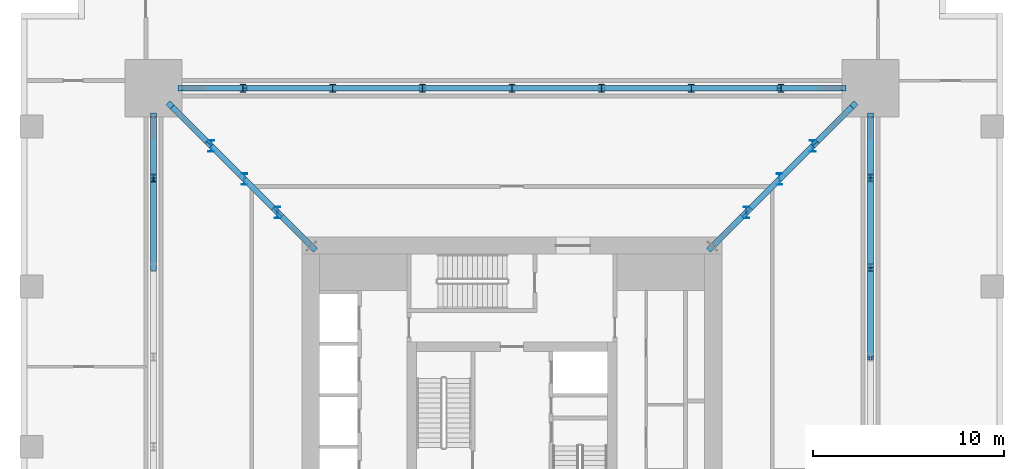
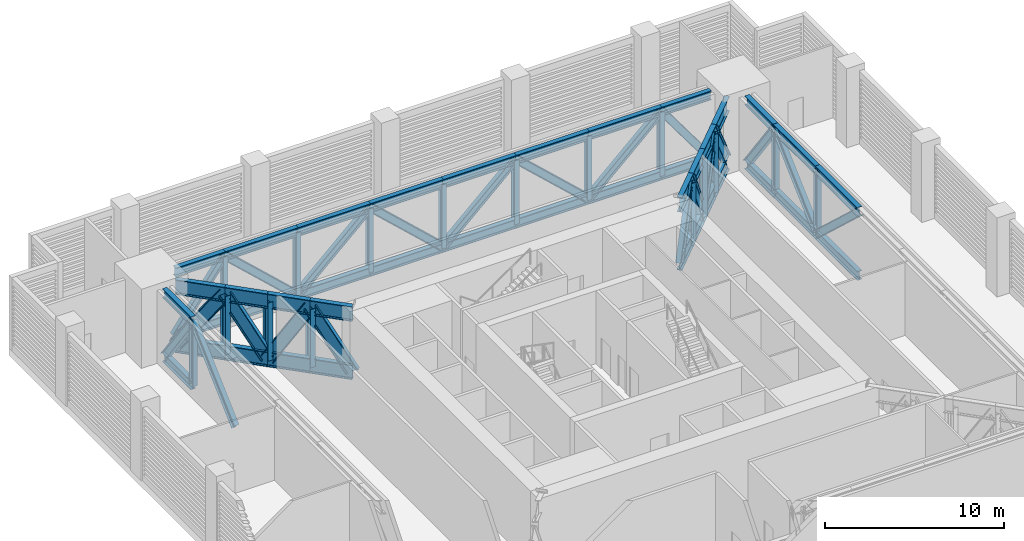
# One storey, part 4 of 17: 77 members.
"""IFC4 building model written with IfcOpenShell, lengths in metres."""

from ifc_helpers import new_model, si_unit, direction, frame, origin, origin_2d, place, context, subcontext, project, spatial, i_section, extrude, material, material_profile, profile_set, type_object, element, save


model = new_model("IFC4")

# Units and contexts
model_context = context("Model", 3, precision=1e-05, world=origin(), true_north=direction((0.0, 1.0)))
body_context = subcontext(model_context, "Body", "Model", "MODEL_VIEW")
ifc_project = project(units=[si_unit("LENGTHUNIT", "METRE"), si_unit("AREAUNIT", "SQUARE_METRE"), si_unit("VOLUMEUNIT", "CUBIC_METRE"), si_unit("PLANEANGLEUNIT", "RADIAN"), si_unit("MASSUNIT", "GRAM", prefix="KILO")], contexts=[model_context])

# Site, building, storey
site_placement = place(None, origin())
site = spatial("IfcSite", under=ifc_project, at=site_placement, CompositionType="ELEMENT")
building_placement = place(site_placement, origin())
building = spatial("IfcBuilding", under=site, at=building_placement, Name="Khepri Terraces", CompositionType="ELEMENT")
storey_placement = place(building_placement, frame((0.0, 0.0, 73.800048828125)))
storey = spatial("IfcBuildingStorey", under=building, at=storey_placement, Name="L17", CompositionType="ELEMENT", Elevation=73.800048828125)

# Members
ifc_material = material(Name="Steel S355", Category="steel")
ifc_material_profile_1 = material_profile(ifc_material, i_section(OverallWidth=0.304931640625, OverallDepth=0.6201171875, WebThickness=0.02099609375, FlangeThickness=0.0400390625, FilletRadius=0.027099609375, at=origin_2d()), Name="Steel S355", Category="steel")
ifc_profile_set_1 = profile_set([ifc_material_profile_1], Name="Steel S355")
member_type_1 = type_object("IfcMemberType", Name="Belt truss chord HEM 600", PredefinedType="CHORD", material=ifc_profile_set_1)
for number, where, z_axis, x_axis, name in (
    (1, (18.800048828125, 4.699951171875, 0.31005859375), (0.0, 1.0, 0.0), (-1.0, 0.0, 0.0), "Belt truss chord BT-17-E bottom 6"),
    (2, (18.800048828125, 4.699951171875, 4.669921875), (0.0, 1.0, 0.0), (-1.0, 0.0, 0.0), "Belt truss chord BT-17-E top 6"),
):
    element("IfcMember", number, at=place(storey_placement, frame(where, z_axis=z_axis, x_axis=x_axis)), inside=storey, type_object=member_type_1, Name=name, PredefinedType="CHORD", context=body_context, shape_type="SweptSolid", body=[
        extrude(i_section(OverallWidth=0.304931640625, OverallDepth=0.6201171875, WebThickness=0.02099609375, FlangeThickness=0.0400390625, FilletRadius=0.027099609375, at=origin_2d()), origin(), (0.0, 0.0, 1.0), 4.699951171875),
    ])
for number, where, z_axis, x_axis, name in (
    (3, (18.800048828125, 9.39990234375, 0.31005859375), (0.0, 1.0, 0.0), (-1.0, 0.0, 0.0), "Belt truss chord BT-17-E bottom 7"),
    (4, (18.800048828125, 9.39990234375, 4.669921875), (0.0, 1.0, 0.0), (-1.0, 0.0, 0.0), "Belt truss chord BT-17-E top 7"),
):
    element("IfcMember", number, at=place(storey_placement, frame(where, z_axis=z_axis, x_axis=x_axis)), inside=storey, type_object=member_type_1, Name=name, PredefinedType="CHORD", context=body_context, shape_type="SweptSolid", body=[
        extrude(i_section(OverallWidth=0.304931640625, OverallDepth=0.6201171875, WebThickness=0.02099609375, FlangeThickness=0.0400390625, FilletRadius=0.027099609375, at=origin_2d()), origin(), (0.0, 0.0, 1.0), 4.7001953125),
    ])
for number, where, z_axis, x_axis, name in (
    (5, (18.800048828125, 14.10009765625, 0.31005859375), (0.0, 1.0, 0.0), (-1.0, 0.0, 0.0), "Belt truss chord BT-17-E bottom 8"),
    (6, (18.800048828125, 14.10009765625, 4.669921875), (0.0, 1.0, 0.0), (-1.0, 0.0, 0.0), "Belt truss chord BT-17-E top 8"),
    (7, (17.300048828125, 18.800048828125, 0.31005859375), (-1.0, 0.0, 0.0), (0.0, -1.0, 0.0), "Belt truss chord BT-17-N bottom 1"),
    (8, (17.300048828125, 18.800048828125, 4.669921875), (-1.0, 0.0, 0.0), (0.0, -1.0, 0.0), "Belt truss chord BT-17-N top 1"),
):
    element("IfcMember", number, at=place(storey_placement, frame(where, z_axis=z_axis, x_axis=x_axis)), inside=storey, type_object=member_type_1, Name=name, PredefinedType="CHORD", context=body_context, shape_type="SweptSolid", body=[
        extrude(i_section(OverallWidth=0.304931640625, OverallDepth=0.6201171875, WebThickness=0.02099609375, FlangeThickness=0.0400390625, FilletRadius=0.027099609375, at=origin_2d()), origin(), (0.0, 0.0, 1.0), 3.199951171875),
    ])
for number, where, z_axis, x_axis, name in (
    (9, (14.10009765625, 18.800048828125, 0.31005859375), (-1.0, 0.0, 0.0), (0.0, -1.0, 0.0), "Belt truss chord BT-17-N bottom 2"),
    (10, (14.10009765625, 18.800048828125, 4.669921875), (-1.0, 0.0, 0.0), (0.0, -1.0, 0.0), "Belt truss chord BT-17-N top 2"),
):
    element("IfcMember", number, at=place(storey_placement, frame(where, z_axis=z_axis, x_axis=x_axis)), inside=storey, type_object=member_type_1, Name=name, PredefinedType="CHORD", context=body_context, shape_type="SweptSolid", body=[
        extrude(i_section(OverallWidth=0.304931640625, OverallDepth=0.6201171875, WebThickness=0.02099609375, FlangeThickness=0.0400390625, FilletRadius=0.027099609375, at=origin_2d()), origin(), (0.0, 0.0, 1.0), 4.7001953125),
    ])
for number, where, z_axis, x_axis, name in (
    (11, (9.39990234375, 18.800048828125, 0.31005859375), (-1.0, 0.0, 0.0), (0.0, -1.0, 0.0), "Belt truss chord BT-17-N bottom 3"),
    (12, (9.39990234375, 18.800048828125, 4.669921875), (-1.0, 0.0, 0.0), (0.0, -1.0, 0.0), "Belt truss chord BT-17-N top 3"),
    (13, (4.699951171875, 18.800048828125, 0.31005859375), (-1.0, 0.0, 0.0), (0.0, -1.0, 0.0), "Belt truss chord BT-17-N bottom 4"),
    (14, (4.699951171875, 18.800048828125, 4.669921875), (-1.0, 0.0, 0.0), (0.0, -1.0, 0.0), "Belt truss chord BT-17-N top 4"),
    (15, (0.0, 18.800048828125, 0.31005859375), (-1.0, 0.0, 0.0), (0.0, -1.0, 0.0), "Belt truss chord BT-17-N bottom 5"),
    (16, (0.0, 18.800048828125, 4.669921875), (-1.0, 0.0, 0.0), (0.0, -1.0, 0.0), "Belt truss chord BT-17-N top 5"),
    (17, (-4.699951171875, 18.800048828125, 0.31005859375), (-1.0, 0.0, 0.0), (0.0, -1.0, 0.0), "Belt truss chord BT-17-N bottom 6"),
    (18, (-4.699951171875, 18.800048828125, 4.669921875), (-1.0, 0.0, 0.0), (0.0, -1.0, 0.0), "Belt truss chord BT-17-N top 6"),
):
    element("IfcMember", number, at=place(storey_placement, frame(where, z_axis=z_axis, x_axis=x_axis)), inside=storey, type_object=member_type_1, Name=name, PredefinedType="CHORD", context=body_context, shape_type="SweptSolid", body=[
        extrude(i_section(OverallWidth=0.304931640625, OverallDepth=0.6201171875, WebThickness=0.02099609375, FlangeThickness=0.0400390625, FilletRadius=0.027099609375, at=origin_2d()), origin(), (0.0, 0.0, 1.0), 4.699951171875),
    ])
for number, where, z_axis, x_axis, name in (
    (19, (-9.39990234375, 18.800048828125, 0.31005859375), (-1.0, 0.0, 0.0), (0.0, -1.0, 0.0), "Belt truss chord BT-17-N bottom 7"),
    (20, (-9.39990234375, 18.800048828125, 4.669921875), (-1.0, 0.0, 0.0), (0.0, -1.0, 0.0), "Belt truss chord BT-17-N top 7"),
):
    element("IfcMember", number, at=place(storey_placement, frame(where, z_axis=z_axis, x_axis=x_axis)), inside=storey, type_object=member_type_1, Name=name, PredefinedType="CHORD", context=body_context, shape_type="SweptSolid", body=[
        extrude(i_section(OverallWidth=0.304931640625, OverallDepth=0.6201171875, WebThickness=0.02099609375, FlangeThickness=0.0400390625, FilletRadius=0.027099609375, at=origin_2d()), origin(), (0.0, 0.0, 1.0), 4.7001953125),
    ])
for number, where, z_axis, x_axis, name in (
    (21, (-14.10009765625, 18.800048828125, 0.31005859375), (-1.0, 0.0, 0.0), (0.0, -1.0, 0.0), "Belt truss chord BT-17-N bottom 8"),
    (22, (-14.10009765625, 18.800048828125, 4.669921875), (-1.0, 0.0, 0.0), (0.0, -1.0, 0.0), "Belt truss chord BT-17-N top 8"),
    (23, (-18.800048828125, 17.300048828125, 0.31005859375), (0.0, -1.0, 0.0), (1.0, 0.0, 0.0), "Belt truss chord BT-17-W bottom 1"),
    (24, (-18.800048828125, 17.300048828125, 4.669921875), (0.0, -1.0, 0.0), (1.0, 0.0, 0.0), "Belt truss chord BT-17-W top 1"),
):
    element("IfcMember", number, at=place(storey_placement, frame(where, z_axis=z_axis, x_axis=x_axis)), inside=storey, type_object=member_type_1, Name=name, PredefinedType="CHORD", context=body_context, shape_type="SweptSolid", body=[
        extrude(i_section(OverallWidth=0.304931640625, OverallDepth=0.6201171875, WebThickness=0.02099609375, FlangeThickness=0.0400390625, FilletRadius=0.027099609375, at=origin_2d()), origin(), (0.0, 0.0, 1.0), 3.199951171875),
    ])
ifc_material_profile_2 = material_profile(ifc_material, i_section(OverallWidth=0.300048828125, OverallDepth=0.5, WebThickness=0.014404296875, FlangeThickness=0.028076171875, FilletRadius=0.027099609375, at=origin_2d()), Name="Steel S355", Category="steel")
ifc_profile_set_2 = profile_set([ifc_material_profile_2], Name="Steel S355")
member_type_2 = type_object("IfcMemberType", Name="Belt truss diagonal HEB 500", PredefinedType="BRACE", material=ifc_profile_set_2)
for number, where, z_axis, x_axis, name in (
    (25, (18.800048828125, 4.699951171875, 4.669921875), (0.0, 0.733133850572, -0.68008437502), (-1.0, 0.0, 0.0), "Belt truss diagonal BT-17-E 6"),
    (26, (18.800048828125, 9.39990234375, 0.31005859375), (0.0, 0.733151463736, 0.680065387461), (-1.0, 0.0, 0.0), "Belt truss diagonal BT-17-E 7"),
):
    element("IfcMember", number, at=place(storey_placement, frame(where, z_axis=z_axis, x_axis=x_axis)), inside=storey, type_object=member_type_2, Name=name, PredefinedType="BRACE", context=body_context, shape_type="SweptSolid", body=[
        extrude(i_section(OverallWidth=0.300048828125, OverallDepth=0.5, WebThickness=0.014404296875, FlangeThickness=0.028076171875, FilletRadius=0.027099609375, at=origin_2d()), origin(), (0.0, 0.0, 1.0), 6.410888671875),
    ])
for number, where, z_axis, x_axis, name in (
    (27, (18.800048828125, 14.10009765625, 4.669921875), (0.0, 0.591690445791, -0.806165253753), (-1.0, 0.0, 0.0), "Belt truss diagonal BT-17-E 8"),
    (28, (17.300048828125, 18.800048828125, 0.31005859375), (-0.591690445791, 0.0, 0.806165253753), (0.0, -1.0, 0.0), "Belt truss diagonal BT-17-N 1"),
):
    element("IfcMember", number, at=place(storey_placement, frame(where, z_axis=z_axis, x_axis=x_axis)), inside=storey, type_object=member_type_2, Name=name, PredefinedType="BRACE", context=body_context, shape_type="SweptSolid", body=[
        extrude(i_section(OverallWidth=0.300048828125, OverallDepth=0.5, WebThickness=0.014404296875, FlangeThickness=0.028076171875, FilletRadius=0.027099609375, at=origin_2d()), origin(), (0.0, 0.0, 1.0), 5.408203125),
    ])
for number, where, z_axis, x_axis, name in (
    (29, (14.10009765625, 18.800048828125, 4.669921875), (-0.733151463736, 0.0, -0.680065387461), (0.0, -1.0, 0.0), "Belt truss diagonal BT-17-N 2"),
    (30, (9.39990234375, 18.800048828125, 0.31005859375), (-0.733133850572, 0.0, 0.68008437502), (0.0, -1.0, 0.0), "Belt truss diagonal BT-17-N 3"),
    (31, (4.699951171875, 18.800048828125, 4.669921875), (-0.733133850572, 0.0, -0.68008437502), (0.0, -1.0, 0.0), "Belt truss diagonal BT-17-N 4"),
    (32, (0.0, 18.800048828125, 0.31005859375), (-0.733133850572, 0.0, 0.68008437502), (0.0, -1.0, 0.0), "Belt truss diagonal BT-17-N 5"),
    (33, (-4.699951171875, 18.800048828125, 4.669921875), (-0.733133850572, 0.0, -0.68008437502), (0.0, -1.0, 0.0), "Belt truss diagonal BT-17-N 6"),
    (34, (-9.39990234375, 18.800048828125, 0.31005859375), (-0.733151463736, 0.0, 0.680065387461), (0.0, -1.0, 0.0), "Belt truss diagonal BT-17-N 7"),
):
    element("IfcMember", number, at=place(storey_placement, frame(where, z_axis=z_axis, x_axis=x_axis)), inside=storey, type_object=member_type_2, Name=name, PredefinedType="BRACE", context=body_context, shape_type="SweptSolid", body=[
        extrude(i_section(OverallWidth=0.300048828125, OverallDepth=0.5, WebThickness=0.014404296875, FlangeThickness=0.028076171875, FilletRadius=0.027099609375, at=origin_2d()), origin(), (0.0, 0.0, 1.0), 6.410888671875),
    ])
for number, where, z_axis, x_axis, name in (
    (35, (-14.10009765625, 18.800048828125, 4.669921875), (-0.591690445791, 0.0, -0.806165253753), (0.0, -1.0, 0.0), "Belt truss diagonal BT-17-N 8"),
    (36, (-18.800048828125, 17.300048828125, 0.31005859375), (0.0, -0.591690445791, 0.806165253753), (1.0, 0.0, 0.0), "Belt truss diagonal BT-17-W 1"),
):
    element("IfcMember", number, at=place(storey_placement, frame(where, z_axis=z_axis, x_axis=x_axis)), inside=storey, type_object=member_type_2, Name=name, PredefinedType="BRACE", context=body_context, shape_type="SweptSolid", body=[
        extrude(i_section(OverallWidth=0.300048828125, OverallDepth=0.5, WebThickness=0.014404296875, FlangeThickness=0.028076171875, FilletRadius=0.027099609375, at=origin_2d()), origin(), (0.0, 0.0, 1.0), 5.408203125),
    ])
member_1_placement = place(storey_placement, frame((-18.800048828125, 14.10009765625, 4.669921875), z_axis=(0.0, -0.733151463736, -0.680065387461), x_axis=(1.0, 0.0, 0.0)))
element("IfcMember", 37, at=member_1_placement, inside=storey, type_object=member_type_2, Name="Belt truss diagonal BT-17-W 2", PredefinedType="BRACE", context=body_context, shape_type="SweptSolid", body=[
    extrude(i_section(OverallWidth=0.300048828125, OverallDepth=0.5, WebThickness=0.014404296875, FlangeThickness=0.028076171875, FilletRadius=0.027099609375, at=origin_2d()), origin(), (0.0, 0.0, 1.0), 6.410888671875),
])
ifc_material_profile_3 = material_profile(ifc_material, i_section(OverallWidth=0.300048828125, OverallDepth=0.39990234375, WebThickness=0.013427734375, FlangeThickness=0.02392578125, FilletRadius=0.027099609375, at=origin_2d()), Name="Steel S355", Category="steel")
ifc_profile_set_3 = profile_set([ifc_material_profile_3], Name="Steel S355")
member_type_3 = type_object("IfcMemberType", Name="Belt truss post HEB 400", PredefinedType="POST", material=ifc_profile_set_3)
for number, where, z_axis, x_axis, name in (
    (38, (18.800048828125, 9.39990234375, 0.31005859375), (0.0, 0.0, 1.0), (1.0, 0.0, 0.0), "Belt truss post BT-17-E 6"),
    (39, (18.800048828125, 14.10009765625, 0.31005859375), (0.0, 0.0, 1.0), (1.0, 0.0, 0.0), "Belt truss post BT-17-E 7"),
    (40, (14.10009765625, 18.800048828125, 0.31005859375), (0.0, 0.0, 1.0), (1.0, 0.0, 0.0), "Belt truss post BT-17-N 1"),
    (41, (9.39990234375, 18.800048828125, 0.31005859375), (0.0, 0.0, 1.0), (1.0, 0.0, 0.0), "Belt truss post BT-17-N 2"),
    (42, (4.699951171875, 18.800048828125, 0.31005859375), (0.0, 0.0, 1.0), (1.0, 0.0, 0.0), "Belt truss post BT-17-N 3"),
    (43, (0.0, 18.800048828125, 0.31005859375), (0.0, 0.0, 1.0), (1.0, 0.0, 0.0), "Belt truss post BT-17-N 4"),
    (44, (-4.699951171875, 18.800048828125, 0.31005859375), (0.0, 0.0, 1.0), (1.0, 0.0, 0.0), "Belt truss post BT-17-N 5"),
    (45, (-9.39990234375, 18.800048828125, 0.31005859375), (0.0, 0.0, 1.0), (1.0, 0.0, 0.0), "Belt truss post BT-17-N 6"),
    (46, (-14.10009765625, 18.800048828125, 0.31005859375), (0.0, 0.0, 1.0), (1.0, 0.0, 0.0), "Belt truss post BT-17-N 7"),
    (47, (-18.800048828125, 14.10009765625, 0.31005859375), (0.0, 0.0, 1.0), (1.0, 0.0, 0.0), "Belt truss post BT-17-W 1"),
):
    element("IfcMember", number, at=place(storey_placement, frame(where, z_axis=z_axis, x_axis=x_axis)), inside=storey, type_object=member_type_3, Name=name, PredefinedType="POST", context=body_context, shape_type="SweptSolid", body=[
        extrude(i_section(OverallWidth=0.300048828125, OverallDepth=0.39990234375, WebThickness=0.013427734375, FlangeThickness=0.02392578125, FilletRadius=0.027099609375, at=origin_2d()), origin(), (0.0, 0.0, 1.0), 4.35986328125),
    ])
ifc_material_profile_4 = material_profile(ifc_material, i_section(OverallWidth=0.302001953125, OverallDepth=1.008056640625, WebThickness=0.02099609375, FlangeThickness=0.0400390625, FilletRadius=0.030029296875, at=origin_2d()), Name="Steel S355", Category="steel")
ifc_profile_set_4 = profile_set([ifc_material_profile_4], Name="Steel S355")
member_type_4 = type_object("IfcMemberType", Name="Outrigger chord HEM 1000", PredefinedType="CHORD", material=ifc_profile_set_4)
for number, where, z_axis, x_axis, name in (
    (48, (10.550048828125, 10.550048828125, 0.50390625), (0.707106781187, 0.707106781187, 0.0), (-0.707106781187, 0.707106781187, 0.0), "Outrigger chord OT-17-EN bottom 1"),
    (49, (10.550048828125, 10.550048828125, 4.475830078125), (0.707106781187, 0.707106781187, 0.0), (-0.707106781187, 0.707106781187, 0.0), "Outrigger chord OT-17-EN top 1"),
    (50, (12.29052734375, 12.29052734375, 0.50390625), (0.707106781187, 0.707106781187, 0.0), (-0.707106781187, 0.707106781187, 0.0), "Outrigger chord OT-17-EN bottom 2"),
    (51, (12.29052734375, 12.29052734375, 4.475830078125), (0.707106781187, 0.707106781187, 0.0), (-0.707106781187, 0.707106781187, 0.0), "Outrigger chord OT-17-EN top 2"),
    (52, (14.031005859375, 14.031005859375, 0.50390625), (0.707106781187, 0.707106781187, 0.0), (-0.707106781187, 0.707106781187, 0.0), "Outrigger chord OT-17-EN bottom 3"),
    (53, (14.031005859375, 14.031005859375, 4.475830078125), (0.707106781187, 0.707106781187, 0.0), (-0.707106781187, 0.707106781187, 0.0), "Outrigger chord OT-17-EN top 3"),
):
    element("IfcMember", number, at=place(storey_placement, frame(where, z_axis=z_axis, x_axis=x_axis)), inside=storey, type_object=member_type_4, Name=name, PredefinedType="CHORD", context=body_context, shape_type="SweptSolid", body=[
        extrude(i_section(OverallWidth=0.302001953125, OverallDepth=1.008056640625, WebThickness=0.02099609375, FlangeThickness=0.0400390625, FilletRadius=0.030029296875, at=origin_2d()), origin(), (0.0, 0.0, 1.0), 2.46142578125),
    ])
for number, where, z_axis, x_axis, name in (
    (54, (15.771484375, 15.771484375, 0.50390625), (0.707106781187, 0.707106781187, 0.0), (-0.707106781187, 0.707106781187, 0.0), "Outrigger chord OT-17-EN bottom 4"),
    (55, (15.771484375, 15.771484375, 4.475830078125), (0.707106781187, 0.707106781187, 0.0), (-0.707106781187, 0.707106781187, 0.0), "Outrigger chord OT-17-EN top 4"),
):
    element("IfcMember", number, at=place(storey_placement, frame(where, z_axis=z_axis, x_axis=x_axis)), inside=storey, type_object=member_type_4, Name=name, PredefinedType="CHORD", context=body_context, shape_type="SweptSolid", body=[
        extrude(i_section(OverallWidth=0.302001953125, OverallDepth=1.008056640625, WebThickness=0.02099609375, FlangeThickness=0.0400390625, FilletRadius=0.030029296875, at=origin_2d()), origin(), (0.0, 0.0, 1.0), 2.883056640625),
    ])
for number, where, z_axis, x_axis, name in (
    (56, (-10.550048828125, 10.550048828125, 0.50390625), (-0.707106781187, 0.707106781187, 0.0), (-0.707106781187, -0.707106781187, 0.0), "Outrigger chord OT-17-WN bottom 1"),
    (57, (-10.550048828125, 10.550048828125, 4.475830078125), (-0.707106781187, 0.707106781187, 0.0), (-0.707106781187, -0.707106781187, 0.0), "Outrigger chord OT-17-WN top 1"),
    (58, (-12.29052734375, 12.29052734375, 0.50390625), (-0.707106781187, 0.707106781187, 0.0), (-0.707106781187, -0.707106781187, 0.0), "Outrigger chord OT-17-WN bottom 2"),
    (59, (-12.29052734375, 12.29052734375, 4.475830078125), (-0.707106781187, 0.707106781187, 0.0), (-0.707106781187, -0.707106781187, 0.0), "Outrigger chord OT-17-WN top 2"),
    (60, (-14.031005859375, 14.031005859375, 0.50390625), (-0.707106781187, 0.707106781187, 0.0), (-0.707106781187, -0.707106781187, 0.0), "Outrigger chord OT-17-WN bottom 3"),
    (61, (-14.031005859375, 14.031005859375, 4.475830078125), (-0.707106781187, 0.707106781187, 0.0), (-0.707106781187, -0.707106781187, 0.0), "Outrigger chord OT-17-WN top 3"),
):
    element("IfcMember", number, at=place(storey_placement, frame(where, z_axis=z_axis, x_axis=x_axis)), inside=storey, type_object=member_type_4, Name=name, PredefinedType="CHORD", context=body_context, shape_type="SweptSolid", body=[
        extrude(i_section(OverallWidth=0.302001953125, OverallDepth=1.008056640625, WebThickness=0.02099609375, FlangeThickness=0.0400390625, FilletRadius=0.030029296875, at=origin_2d()), origin(), (0.0, 0.0, 1.0), 2.46142578125),
    ])
for number, where, z_axis, x_axis, name in (
    (62, (-15.771484375, 15.771484375, 0.50390625), (-0.707106781187, 0.707106781187, 0.0), (-0.707106781187, -0.707106781187, 0.0), "Outrigger chord OT-17-WN bottom 4"),
    (63, (-15.771484375, 15.771484375, 4.475830078125), (-0.707106781187, 0.707106781187, 0.0), (-0.707106781187, -0.707106781187, 0.0), "Outrigger chord OT-17-WN top 4"),
):
    element("IfcMember", number, at=place(storey_placement, frame(where, z_axis=z_axis, x_axis=x_axis)), inside=storey, type_object=member_type_4, Name=name, PredefinedType="CHORD", context=body_context, shape_type="SweptSolid", body=[
        extrude(i_section(OverallWidth=0.302001953125, OverallDepth=1.008056640625, WebThickness=0.02099609375, FlangeThickness=0.0400390625, FilletRadius=0.030029296875, at=origin_2d()), origin(), (0.0, 0.0, 1.0), 2.883056640625),
    ])
ifc_material_profile_5 = material_profile(ifc_material, i_section(OverallWidth=0.302978515625, OverallDepth=0.81396484375, WebThickness=0.02099609375, FlangeThickness=0.0400390625, FilletRadius=0.030029296875, at=origin_2d()), Name="Steel S355", Category="steel")
ifc_profile_set_5 = profile_set([ifc_material_profile_5], Name="Steel S355")
member_type_5 = type_object("IfcMemberType", Name="Outrigger diagonal HEM 800", PredefinedType="BRACE", material=ifc_profile_set_5)
for number, where, z_axis, x_axis, name in (
    (64, (10.550048828125, 10.550048828125, 0.50390625), (0.372473135114, 0.372473135114, 0.850016192338), (-0.707106781187, 0.707106781187, 0.0), "Outrigger diagonal OT-17-EN 1"),
    (65, (12.29052734375, 12.29052734375, 4.475830078125), (0.372473135114, 0.372473135114, -0.850016192338), (-0.707106781187, 0.707106781187, 0.0), "Outrigger diagonal OT-17-EN 2"),
    (66, (14.031005859375, 14.031005859375, 0.50390625), (0.372473135114, 0.372473135114, 0.850016192338), (-0.707106781187, 0.707106781187, 0.0), "Outrigger diagonal OT-17-EN 3"),
):
    element("IfcMember", number, at=place(storey_placement, frame(where, z_axis=z_axis, x_axis=x_axis)), inside=storey, type_object=member_type_5, Name=name, PredefinedType="BRACE", context=body_context, shape_type="SweptSolid", body=[
        extrude(i_section(OverallWidth=0.302978515625, OverallDepth=0.81396484375, WebThickness=0.02099609375, FlangeThickness=0.0400390625, FilletRadius=0.030029296875, at=origin_2d()), origin(), (0.0, 0.0, 1.0), 4.6728515625),
    ])
member_2_placement = place(storey_placement, frame((15.771484375, 15.771484375, 4.475830078125), z_axis=(0.415363588353, 0.415363588353, -0.809287451367), x_axis=(-0.707106781187, 0.707106781187, 0.0)))
element("IfcMember", 67, at=member_2_placement, inside=storey, type_object=member_type_5, Name="Outrigger diagonal OT-17-EN 4", PredefinedType="BRACE", context=body_context, shape_type="SweptSolid", body=[
    extrude(i_section(OverallWidth=0.302978515625, OverallDepth=0.81396484375, WebThickness=0.02099609375, FlangeThickness=0.0400390625, FilletRadius=0.030029296875, at=origin_2d()), origin(), (0.0, 0.0, 1.0), 4.907958984375),
])
for number, where, z_axis, x_axis, name in (
    (68, (-10.550048828125, 10.550048828125, 0.50390625), (-0.372473135114, 0.372473135114, 0.850016192338), (-0.707106781187, -0.707106781187, 0.0), "Outrigger diagonal OT-17-WN 1"),
    (69, (-12.29052734375, 12.29052734375, 4.475830078125), (-0.372473135114, 0.372473135114, -0.850016192338), (-0.707106781187, -0.707106781187, 0.0), "Outrigger diagonal OT-17-WN 2"),
    (70, (-14.031005859375, 14.031005859375, 0.50390625), (-0.372473135114, 0.372473135114, 0.850016192338), (-0.707106781187, -0.707106781187, 0.0), "Outrigger diagonal OT-17-WN 3"),
):
    element("IfcMember", number, at=place(storey_placement, frame(where, z_axis=z_axis, x_axis=x_axis)), inside=storey, type_object=member_type_5, Name=name, PredefinedType="BRACE", context=body_context, shape_type="SweptSolid", body=[
        extrude(i_section(OverallWidth=0.302978515625, OverallDepth=0.81396484375, WebThickness=0.02099609375, FlangeThickness=0.0400390625, FilletRadius=0.030029296875, at=origin_2d()), origin(), (0.0, 0.0, 1.0), 4.6728515625),
    ])
member_3_placement = place(storey_placement, frame((-15.771484375, 15.771484375, 4.475830078125), z_axis=(-0.415363588353, 0.415363588353, -0.809287451367), x_axis=(-0.707106781187, -0.707106781187, 0.0)))
element("IfcMember", 71, at=member_3_placement, inside=storey, type_object=member_type_5, Name="Outrigger diagonal OT-17-WN 4", PredefinedType="BRACE", context=body_context, shape_type="SweptSolid", body=[
    extrude(i_section(OverallWidth=0.302978515625, OverallDepth=0.81396484375, WebThickness=0.02099609375, FlangeThickness=0.0400390625, FilletRadius=0.030029296875, at=origin_2d()), origin(), (0.0, 0.0, 1.0), 4.907958984375),
])
ifc_material_profile_6 = material_profile(ifc_material, i_section(OverallWidth=0.300048828125, OverallDepth=0.60009765625, WebThickness=0.015380859375, FlangeThickness=0.030029296875, FilletRadius=0.027099609375, at=origin_2d()), Name="Steel S355", Category="steel")
ifc_profile_set_6 = profile_set([ifc_material_profile_6], Name="Steel S355")
member_type_6 = type_object("IfcMemberType", Name="Outrigger post HEB 600", PredefinedType="POST", material=ifc_profile_set_6)
for number, where, z_axis, x_axis, name in (
    (72, (12.29052734375, 12.29052734375, 0.50390625), (0.0, 0.0, 1.0), (1.0, 0.0, 0.0), "Outrigger post OT-17-EN 1"),
    (73, (14.031005859375, 14.031005859375, 0.50390625), (0.0, 0.0, 1.0), (1.0, 0.0, 0.0), "Outrigger post OT-17-EN 2"),
    (74, (15.771484375, 15.771484375, 0.50390625), (0.0, 0.0, 1.0), (1.0, 0.0, 0.0), "Outrigger post OT-17-EN 3"),
    (75, (-12.29052734375, 12.29052734375, 0.50390625), (0.0, 0.0, 1.0), (1.0, 0.0, 0.0), "Outrigger post OT-17-WN 1"),
    (76, (-14.031005859375, 14.031005859375, 0.50390625), (0.0, 0.0, 1.0), (1.0, 0.0, 0.0), "Outrigger post OT-17-WN 2"),
    (77, (-15.771484375, 15.771484375, 0.50390625), (0.0, 0.0, 1.0), (1.0, 0.0, 0.0), "Outrigger post OT-17-WN 3"),
):
    element("IfcMember", number, at=place(storey_placement, frame(where, z_axis=z_axis, x_axis=x_axis)), inside=storey, type_object=member_type_6, Name=name, PredefinedType="POST", context=body_context, shape_type="SweptSolid", body=[
        extrude(i_section(OverallWidth=0.300048828125, OverallDepth=0.60009765625, WebThickness=0.015380859375, FlangeThickness=0.030029296875, FilletRadius=0.027099609375, at=origin_2d()), origin(), (0.0, 0.0, 1.0), 3.971923828125),
    ])

save(model, "model.ifc")
